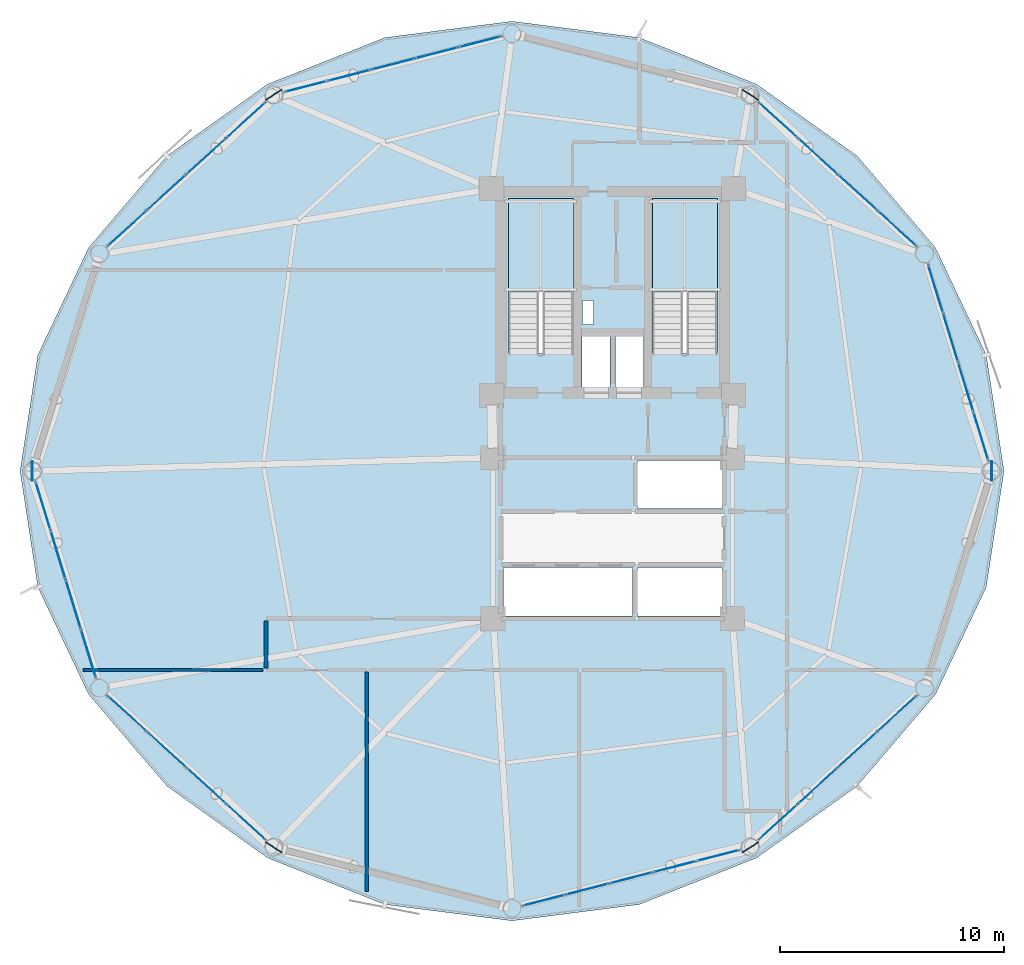
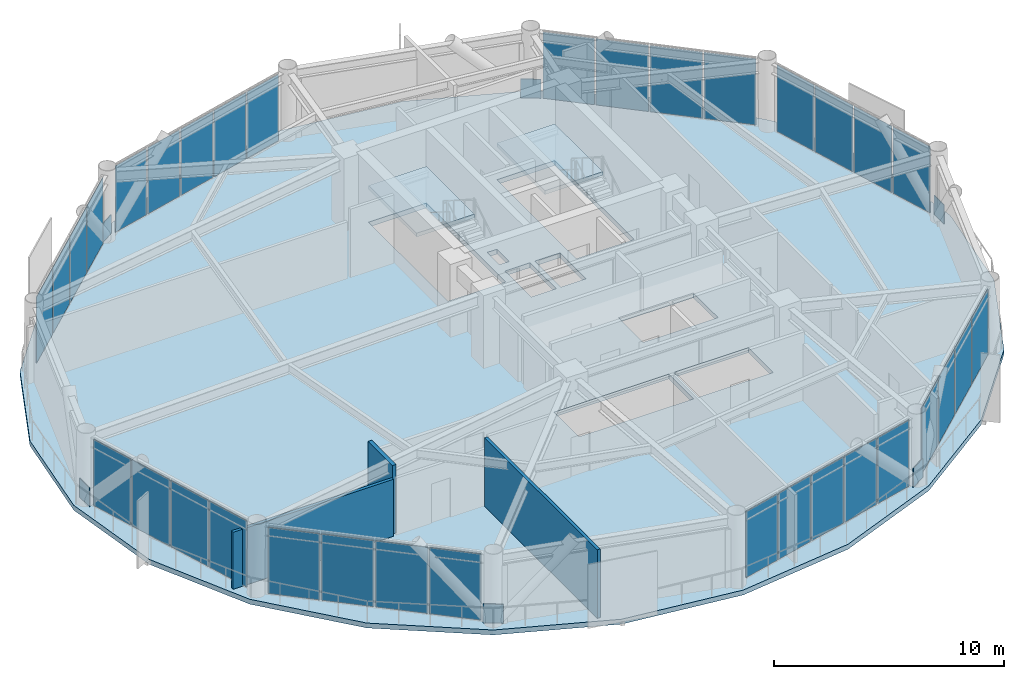
# One storey, part 19 of 24: 40 plates, 3 slabs, 3 walls, 10 elements without a shape of their own.
"""IFC4 building model written with IfcOpenShell, lengths in metres."""

from ifc_helpers import new_model, si_unit, direction, frame, frame_2d, origin, origin_2d, place, context, subcontext, project, spatial, polyline, rectangle, outline, extrude, source, transform, mapped, material, layer, layer_set, type_object, type_shapes, element, aggregate, save


model = new_model("IFC4")

# Units and contexts
model_context = context("Model", 3, precision=1e-05, world=origin(), true_north=direction((0.0, 1.0)))
body_context = subcontext(model_context, "Body", "Model", "MODEL_VIEW")
ifc_project = project(units=[si_unit("LENGTHUNIT", "METRE"), si_unit("AREAUNIT", "SQUARE_METRE"), si_unit("VOLUMEUNIT", "CUBIC_METRE"), si_unit("PLANEANGLEUNIT", "RADIAN"), si_unit("MASSUNIT", "GRAM", prefix="KILO")], contexts=[model_context])

# Site, building, storey
site_placement = place(None, origin())
site = spatial("IfcSite", under=ifc_project, at=site_placement, CompositionType="ELEMENT")
building_placement = place(site_placement, origin())
building = spatial("IfcBuilding", under=site, at=building_placement, Name="Varnakorn Sky Granary", CompositionType="ELEMENT")
storey_placement = place(building_placement, frame((0.0, 0.0, 111.0)))
storey = spatial("IfcBuildingStorey", under=building, at=storey_placement, Name="L27", CompositionType="ELEMENT", Elevation=111.0)

# Plates
ifc_material_1 = material(Name="Steel S460M", Category="steel")
ifc_layer_1 = layer(ifc_material_1, 0.0400390625, Name="Steel S460M")
ifc_layer_set_1 = layer_set([ifc_layer_1], Name="Steel S460M")
plate_type_1 = type_object("IfcPlateType", Name="PL-NODE-KN2", PredefinedType="SHEET", material=ifc_layer_set_1)
for number, where, z_axis, x_axis, name in (
    (1, (19.949951171875, 0.0, 0.0), (0.0, 0.0, 1.0), (0.0, 1.0, 0.0), "Diagrid Node Gusset Assembly KN2 L27-1"),
    (2, (9.157470703125, 16.825927734375, 0.0), (0.0, 0.0, 1.0), (-0.844795623228, 0.535089109379, 0.0), "Diagrid Node Gusset Assembly KN2 L27-3"),
    (3, (-12.157470703125, 16.825927734375, 0.0), (0.0, 0.0, 1.0), (-0.844795623228, -0.535089109379, 0.0), "Diagrid Node Gusset Assembly KN2 L27-5"),
    (4, (-22.949951171875, 0.0, 0.0), (0.0, 0.0, 1.0), (0.0, -1.0, 0.0), "Diagrid Node Gusset Assembly KN2 L27-7"),
    (5, (-12.157470703125, -16.825927734375, 0.0), (0.0, 0.0, 1.0), (0.844795623228, -0.535089109379, 0.0), "Diagrid Node Gusset Assembly KN2 L27-9"),
    (6, (9.157470703125, -16.825927734375, 0.0), (0.0, 0.0, 1.0), (0.844795623228, 0.535089109379, 0.0), "Diagrid Node Gusset Assembly KN2 L27-11"),
):
    element("IfcPlate", number, at=place(storey_placement, frame(where, z_axis=z_axis, x_axis=x_axis)), inside=storey, type_object=plate_type_1, Name=name, PredefinedType="SHEET", context=body_context, shape_type="SweptSolid", body=[
        extrude(rectangle(XDim=0.8798828125, YDim=0.0400390625, at=origin_2d()), origin(), (0.0, 0.0, 1.0), 1.0),
    ])

# Stair, slab
ifc_material_2 = material(Name="Concrete C40/50", Category="concrete")
stair_type = type_object("IfcStairType", Name="ST-MAIN-ASSEMBLY", PredefinedType="HALF_TURN_STAIR", material=ifc_material_2)
stair_1_placement = place(storey_placement, origin())
stair_1 = element("IfcStair", 7, at=stair_1_placement, inside=storey, type_object=stair_type, Name="L27 Protected Exit Stair ST-1", PredefinedType="HALF_TURN_STAIR")
ifc_layer_2 = layer(ifc_material_2, 0.199951171875, Name="Concrete C40/50")
ifc_layer_set_2 = layer_set([ifc_layer_2], Name="Concrete C40/50")
slab_type_1 = type_object("IfcSlabType", Name="ST-MAIN-LAND", PredefinedType="LANDING", material=ifc_layer_set_2)
slab_1_placement = place(storey_placement, frame((0.0, 0.0, 1.75)))
slab_1 = element("IfcSlab", 8, at=slab_1_placement, type_object=slab_type_1, Name="ST-1 landing 1", PredefinedType="LANDING", context=body_context, shape_type="SweptSolid", body=[
    extrude(outline(polyline([(1.239990234375, 8.0), (1.239990234375, 12.179931640625), (-1.669921875, 12.179931640625), (-1.669921875, 8.0), (1.239990234375, 8.0)])), origin(), (0.0, 0.0, 1.0), 0.199951171875),
])
aggregate(stair_1, [slab_1])

stair_2_placement = place(storey_placement, origin())
stair_2 = element("IfcStair", 9, at=stair_2_placement, inside=storey, type_object=stair_type, Name="L27 Protected Exit Stair ST-2", PredefinedType="HALF_TURN_STAIR")
slab_2_placement = place(storey_placement, frame((0.0, 0.0, 1.75)))
slab_2 = element("IfcSlab", 10, at=slab_2_placement, type_object=slab_type_1, Name="ST-2 landing 1", PredefinedType="LANDING", context=body_context, shape_type="SweptSolid", body=[
    extrude(outline(polyline([(7.679931640625, 8.0), (7.679931640625, 12.179931640625), (4.77001953125, 12.179931640625), (4.77001953125, 8.0), (7.679931640625, 8.0)])), origin(), (0.0, 0.0, 1.0), 0.199951171875),
])
aggregate(stair_2, [slab_2])

# Slab
ifc_material_3 = material(Name="Concrete C50/60", Category="concrete")
ifc_layer_3 = layer(ifc_material_3, 0.260009765625, Name="Concrete C50/60")
ifc_layer_set_3 = layer_set([ifc_layer_3], Name="Concrete C50/60")
slab_type_2 = type_object("IfcSlabType", Name="ST-SL-TWR-260", PredefinedType="FLOOR", material=ifc_layer_set_3)
slab_3_placement = place(storey_placement, frame((0.0, 0.0, -0.260009765625)))
element("IfcSlab", 11, at=slab_3_placement, inside=storey, type_object=slab_type_2, Name="Level L27 Structural Floor Slab", PredefinedType="FLOOR", context=body_context, shape_type="SweptSolid", body=[
    extrude(outline(polyline([(20.5, 0.0), (19.706787109375, 5.194091796875), (17.435546875, 9.989501953125), (13.92919921875, 14.095458984375), (9.4326171875, 17.30224609375), (4.182373046875, 19.38525390625), (-1.5, 20.114013671875), (-7.182373046875, 19.38525390625), (-12.4326171875, 17.30224609375), (-16.92919921875, 14.095458984375), (-20.435546875, 9.989501953125), (-22.706787109375, 5.194091796875), (-23.5, 0.0), (-22.706787109375, -5.194091796875), (-20.435546875, -9.989501953125), (-16.92919921875, -14.095458984375), (-12.4326171875, -17.30224609375), (-7.182373046875, -19.38525390625), (-1.5, -20.114013671875), (4.182373046875, -19.38525390625), (9.4326171875, -17.30224609375), (13.92919921875, -14.095458984375), (17.435546875, -9.989501953125), (19.706787109375, -5.194091796875), (20.5, 0.0)]), holes=[polyline([(1.239990234375, 5.27490234375), (1.239990234375, 12.179931640625), (-1.669921875, 12.179931640625), (-1.669921875, 5.27490234375), (1.239990234375, 5.27490234375)]), polyline([(7.679931640625, 5.27490234375), (7.679931640625, 12.179931640625), (4.77001953125, 12.179931640625), (4.77001953125, 5.27490234375), (7.679931640625, 5.27490234375)]), polyline([(1.659912109375, 6.550048828125), (2.14990234375, 6.550048828125), (2.14990234375, 7.6201171875), (1.659912109375, 7.6201171875), (1.659912109375, 6.550048828125)]), polyline([(1.6201171875, 3.739990234375), (2.8798828125, 3.739990234375), (2.8798828125, 6.010009765625), (1.6201171875, 6.010009765625), (1.6201171875, 3.739990234375)]), polyline([(3.1201171875, 3.739990234375), (4.3798828125, 3.739990234375), (4.3798828125, 6.010009765625), (3.1201171875, 6.010009765625), (3.1201171875, 3.739990234375)]), polyline([(4.1201171875, -1.679931640625), (7.8798828125, -1.679931640625), (7.8798828125, 0.47998046875), (4.1201171875, 0.47998046875), (4.1201171875, -1.679931640625)]), polyline([(-1.8798828125, -6.47998046875), (3.8798828125, -6.47998046875), (3.8798828125, -4.320068359375), (-1.8798828125, -4.320068359375), (-1.8798828125, -6.47998046875)]), polyline([(4.1201171875, -6.47998046875), (7.8798828125, -6.47998046875), (7.8798828125, -4.320068359375), (4.1201171875, -4.320068359375), (4.1201171875, -6.47998046875)])]), origin(), (0.0, 0.0, 1.0), 0.260009765625),
])

# Curtain wall, plates
ifc_material_4 = material(Name="Anodised Bronze Aluminium Alloy 6063-T6", Category="aluminium")
ifc_layer_4 = layer(ifc_material_4, 0.179931640625, Name="Anodised Bronze Aluminium Alloy 6063-T6")
ifc_layer_set_4 = layer_set([ifc_layer_4], Name="Anodised Bronze Aluminium Alloy 6063-T6")
curtain_wall_type = type_object("IfcCurtainWallType", Name="CW-FRM-2", PredefinedType="USERDEFINED", material=ifc_layer_set_4)
curtain_wall_1_placement = place(storey_placement, origin())
curtain_wall_1 = element("IfcCurtainWall", 12, at=curtain_wall_1_placement, inside=storey, type_object=curtain_wall_type, Name="Unitised Curtain Wall CW4 CW-L27-B01", ObjectType="CURTAIN WALL", PredefinedType="USERDEFINED")
ifc_material_5 = material(Name="Low-E Tinted Laminated Glass", Category="glass")
ifc_layer_5 = layer(ifc_material_5, 0.02587890625, Name="Low-E Tinted Laminated Glass")
ifc_layer_set_5 = layer_set([ifc_layer_5], Name="Low-E Tinted Laminated Glass")
plate_type_2 = type_object("IfcPlateType", Name="CW-FRM-2-PNL", PredefinedType="CURTAIN_PANEL")
shared_shape_1 = source(origin(), body_context, "Body", "SweptSolid", [
    extrude(rectangle(XDim=2.202880859375, YDim=0.02587890625, at=origin_2d()), origin(), (0.0, 0.0, 1.0), 3.510009765625),
])
plate_1_placement = place(storey_placement, frame((17.441162109375, 8.149169921875, 0.06494140625), z_axis=(0.0, 0.0, 1.0), x_axis=(0.294220578361, -0.955737543089, 0.0)))
plate_1 = element("IfcPlate", 13, at=plate_1_placement, type_object=plate_type_2, material=ifc_layer_set_5, Name="CW4 vision glazing unit 1.1", PredefinedType="CURTAIN_PANEL", context=body_context, shape_type="MappedRepresentation", body=[
    mapped(shared_shape_1, transform((0.0, 0.0, 0.0), x_axis=(1.0, 0.0, 0.0), y_axis=(0.0, 1.0, 0.0), z_axis=(0.0, 0.0, 1.0), scale=1.0)),
])
ifc_material_6 = material(Name="Opaque Insulated Aluminium Shadow-Box Unit", Category="aluminium")
ifc_layer_6 = layer(ifc_material_6, 0.02587890625, Name="Opaque Insulated Aluminium Shadow-Box Unit")
ifc_layer_set_6 = layer_set([ifc_layer_6], Name="Opaque Insulated Aluminium Shadow-Box Unit")
plate_2_placement = place(storey_placement, frame((19.468017578125, 1.5654296875, 0.06494140625), z_axis=(0.0, 0.0, 1.0), x_axis=(0.294220578361, -0.955737543089, 0.0)))
plate_2 = element("IfcPlate", 14, at=plate_2_placement, type_object=plate_type_2, material=ifc_layer_set_6, Name="CW4 opaque insulated shadow-box unit 4.1", PredefinedType="CURTAIN_PANEL", context=body_context, shape_type="MappedRepresentation", body=[
    mapped(shared_shape_1, transform((0.0, 0.0, 0.0), x_axis=(1.0, 0.0, 0.0), y_axis=(0.0, 1.0, 0.0), z_axis=(0.0, 0.0, 1.0), scale=1.0)),
])

curtain_wall_2_placement = place(storey_placement, origin())
curtain_wall_2 = element("IfcCurtainWall", 15, at=curtain_wall_2_placement, inside=storey, type_object=curtain_wall_type, Name="Unitised Curtain Wall CW4 CW-L27-B07", ObjectType="CURTAIN WALL", PredefinedType="USERDEFINED")
plate_3_placement = place(storey_placement, frame((-20.441162109375, -8.149169921875, 0.06494140625), z_axis=(0.0, 0.0, 1.0), x_axis=(-0.294220578361, 0.955737543089, 0.0)))
plate_3 = element("IfcPlate", 16, at=plate_3_placement, type_object=plate_type_2, material=ifc_layer_set_5, Name="CW4 vision glazing unit 1.1", PredefinedType="CURTAIN_PANEL", context=body_context, shape_type="MappedRepresentation", body=[
    mapped(shared_shape_1, transform((0.0, 0.0, 0.0), x_axis=(1.0, 0.0, 0.0), y_axis=(0.0, 1.0, 0.0), z_axis=(0.0, 0.0, 1.0), scale=1.0)),
])
plate_4_placement = place(storey_placement, frame((-22.468017578125, -1.5654296875, 0.06494140625), z_axis=(0.0, 0.0, 1.0), x_axis=(-0.294220578361, 0.955737543089, 0.0)))
plate_4 = element("IfcPlate", 17, at=plate_4_placement, type_object=plate_type_2, material=ifc_layer_set_6, Name="CW4 opaque insulated shadow-box unit 4.1", PredefinedType="CURTAIN_PANEL", context=body_context, shape_type="MappedRepresentation", body=[
    mapped(shared_shape_1, transform((0.0, 0.0, 0.0), x_axis=(1.0, 0.0, 0.0), y_axis=(0.0, 1.0, 0.0), z_axis=(0.0, 0.0, 1.0), scale=1.0)),
])

# Plate
shared_shape_2 = source(origin(), body_context, "Body", "SweptSolid", [
    extrude(rectangle(XDim=2.23779296875, YDim=0.02587890625, at=origin_2d()), origin(), (0.0, 0.0, 1.0), 3.510009765625),
])
plate_5_placement = place(storey_placement, frame((18.115234375, 5.960205078125, 0.06494140625), z_axis=(0.0, 0.0, 1.0), x_axis=(0.294220578361, -0.955737543089, 0.0)))
plate_5 = element("IfcPlate", 18, at=plate_5_placement, type_object=plate_type_2, material=ifc_layer_set_5, Name="CW4 vision glazing unit 2.1", PredefinedType="CURTAIN_PANEL", context=body_context, shape_type="MappedRepresentation", body=[
    mapped(shared_shape_2, transform((0.0, 0.0, 0.0), x_axis=(1.0, 0.0, 0.0), y_axis=(0.0, 1.0, 0.0), z_axis=(0.0, 0.0, 1.0), scale=1.0)),
])

plate_6_placement = place(storey_placement, frame((18.794189453125, 3.75439453125, 0.06494140625), z_axis=(0.0, 0.0, 1.0), x_axis=(0.294220578361, -0.955737543089, 0.0)))
plate_6 = element("IfcPlate", 19, at=plate_6_placement, type_object=plate_type_2, material=ifc_layer_set_6, Name="CW4 opaque insulated shadow-box unit 3.1", PredefinedType="CURTAIN_PANEL", context=body_context, shape_type="MappedRepresentation", body=[
    mapped(shared_shape_2, transform((0.0, 0.0, 0.0), x_axis=(1.0, 0.0, 0.0), y_axis=(0.0, 1.0, 0.0), z_axis=(0.0, 0.0, 1.0), scale=1.0)),
])

aggregate(curtain_wall_1, [plate_1, plate_5, plate_6, plate_2])

plate_7_placement = place(storey_placement, frame((-21.115234375, -5.960205078125, 0.06494140625), z_axis=(0.0, 0.0, 1.0), x_axis=(-0.294220578361, 0.955737543089, 0.0)))
plate_7 = element("IfcPlate", 20, at=plate_7_placement, type_object=plate_type_2, material=ifc_layer_set_5, Name="CW4 vision glazing unit 2.1", PredefinedType="CURTAIN_PANEL", context=body_context, shape_type="MappedRepresentation", body=[
    mapped(shared_shape_2, transform((0.0, 0.0, 0.0), x_axis=(1.0, 0.0, 0.0), y_axis=(0.0, 1.0, 0.0), z_axis=(0.0, 0.0, 1.0), scale=1.0)),
])

plate_8_placement = place(storey_placement, frame((-21.794189453125, -3.75439453125, 0.06494140625), z_axis=(0.0, 0.0, 1.0), x_axis=(-0.294220578361, 0.955737543089, 0.0)))
plate_8 = element("IfcPlate", 21, at=plate_8_placement, type_object=plate_type_2, material=ifc_layer_set_6, Name="CW4 opaque insulated shadow-box unit 3.1", PredefinedType="CURTAIN_PANEL", context=body_context, shape_type="MappedRepresentation", body=[
    mapped(shared_shape_2, transform((0.0, 0.0, 0.0), x_axis=(1.0, 0.0, 0.0), y_axis=(0.0, 1.0, 0.0), z_axis=(0.0, 0.0, 1.0), scale=1.0)),
])

aggregate(curtain_wall_2, [plate_3, plate_7, plate_8, plate_4])

# Curtain wall, plates
curtain_wall_3_placement = place(storey_placement, origin())
curtain_wall_3 = element("IfcCurtainWall", 22, at=curtain_wall_3_placement, inside=storey, type_object=curtain_wall_type, Name="Unitised Curtain Wall CW4 CW-L27-B02", ObjectType="CURTAIN WALL", PredefinedType="USERDEFINED")
shared_shape_3 = source(origin(), body_context, "Body", "SweptSolid", [
    extrude(rectangle(XDim=2.30078125, YDim=0.02587890625, at=origin_2d()), origin(), (0.0, 0.0, 1.0), 3.510009765625),
])
plate_9_placement = place(storey_placement, frame((10.404296875, 15.689453125, 0.06494140625), z_axis=(0.0, 0.0, 1.0), x_axis=(0.739046526287, -0.673654386152, 0.0)))
plate_9 = element("IfcPlate", 23, at=plate_9_placement, type_object=plate_type_2, material=ifc_layer_set_6, Name="CW4 opaque insulated shadow-box unit 1.1", PredefinedType="CURTAIN_PANEL", context=body_context, shape_type="MappedRepresentation", body=[
    mapped(shared_shape_3, transform((0.0, 0.0, 0.0), x_axis=(1.0, 0.0, 0.0), y_axis=(0.0, 1.0, 0.0), z_axis=(0.0, 0.0, 1.0), scale=1.0)),
])
plate_10_placement = place(storey_placement, frame((15.712646484375, 10.850830078125, 0.06494140625), z_axis=(0.0, 0.0, 1.0), x_axis=(0.739046526287, -0.673654386152, 0.0)))
plate_10 = element("IfcPlate", 24, at=plate_10_placement, type_object=plate_type_2, material=ifc_layer_set_5, Name="CW4 vision glazing unit 4.1", PredefinedType="CURTAIN_PANEL", context=body_context, shape_type="MappedRepresentation", body=[
    mapped(shared_shape_3, transform((0.0, 0.0, 0.0), x_axis=(1.0, 0.0, 0.0), y_axis=(0.0, 1.0, 0.0), z_axis=(0.0, 0.0, 1.0), scale=1.0)),
])

curtain_wall_4_placement = place(storey_placement, origin())
curtain_wall_4 = element("IfcCurtainWall", 25, at=curtain_wall_4_placement, inside=storey, type_object=curtain_wall_type, Name="Unitised Curtain Wall CW4 CW-L27-B05", ObjectType="CURTAIN WALL", PredefinedType="USERDEFINED")
plate_11_placement = place(storey_placement, frame((-18.712646484375, 10.850830078125, 0.06494140625), z_axis=(0.0, 0.0, 1.0), x_axis=(0.739046526287, 0.673654386152, 0.0)))
plate_11 = element("IfcPlate", 26, at=plate_11_placement, type_object=plate_type_2, material=ifc_layer_set_5, Name="CW4 vision glazing unit 1.1", PredefinedType="CURTAIN_PANEL", context=body_context, shape_type="MappedRepresentation", body=[
    mapped(shared_shape_3, transform((0.0, 0.0, 0.0), x_axis=(1.0, 0.0, 0.0), y_axis=(0.0, 1.0, 0.0), z_axis=(0.0, 0.0, 1.0), scale=1.0)),
])
plate_12_placement = place(storey_placement, frame((-13.404296875, 15.689453125, 0.06494140625), z_axis=(0.0, 0.0, 1.0), x_axis=(0.739046526287, 0.673654386152, 0.0)))
plate_12 = element("IfcPlate", 27, at=plate_12_placement, type_object=plate_type_2, material=ifc_layer_set_6, Name="CW4 opaque insulated shadow-box unit 4.1", PredefinedType="CURTAIN_PANEL", context=body_context, shape_type="MappedRepresentation", body=[
    mapped(shared_shape_3, transform((0.0, 0.0, 0.0), x_axis=(1.0, 0.0, 0.0), y_axis=(0.0, 1.0, 0.0), z_axis=(0.0, 0.0, 1.0), scale=1.0)),
])

curtain_wall_5_placement = place(storey_placement, origin())
curtain_wall_5 = element("IfcCurtainWall", 28, at=curtain_wall_5_placement, inside=storey, type_object=curtain_wall_type, Name="Unitised Curtain Wall CW4 CW-L27-B08", ObjectType="CURTAIN WALL", PredefinedType="USERDEFINED")
plate_13_placement = place(storey_placement, frame((-13.404296875, -15.689453125, 0.06494140625), z_axis=(0.0, 0.0, 1.0), x_axis=(-0.739046526287, 0.673654386152, 0.0)))
plate_13 = element("IfcPlate", 29, at=plate_13_placement, type_object=plate_type_2, material=ifc_layer_set_6, Name="CW4 opaque insulated shadow-box unit 1.1", PredefinedType="CURTAIN_PANEL", context=body_context, shape_type="MappedRepresentation", body=[
    mapped(shared_shape_3, transform((0.0, 0.0, 0.0), x_axis=(1.0, 0.0, 0.0), y_axis=(0.0, 1.0, 0.0), z_axis=(0.0, 0.0, 1.0), scale=1.0)),
])
plate_14_placement = place(storey_placement, frame((-18.712646484375, -10.850830078125, 0.06494140625), z_axis=(0.0, 0.0, 1.0), x_axis=(-0.739046526287, 0.673654386152, 0.0)))
plate_14 = element("IfcPlate", 30, at=plate_14_placement, type_object=plate_type_2, material=ifc_layer_set_5, Name="CW4 vision glazing unit 4.1", PredefinedType="CURTAIN_PANEL", context=body_context, shape_type="MappedRepresentation", body=[
    mapped(shared_shape_3, transform((0.0, 0.0, 0.0), x_axis=(1.0, 0.0, 0.0), y_axis=(0.0, 1.0, 0.0), z_axis=(0.0, 0.0, 1.0), scale=1.0)),
])

curtain_wall_6_placement = place(storey_placement, origin())
curtain_wall_6 = element("IfcCurtainWall", 31, at=curtain_wall_6_placement, inside=storey, type_object=curtain_wall_type, Name="Unitised Curtain Wall CW4 CW-L27-B11", ObjectType="CURTAIN WALL", PredefinedType="USERDEFINED")
plate_15_placement = place(storey_placement, frame((15.712646484375, -10.850830078125, 0.06494140625), z_axis=(0.0, 0.0, 1.0), x_axis=(-0.739046526287, -0.673654386152, 0.0)))
plate_15 = element("IfcPlate", 32, at=plate_15_placement, type_object=plate_type_2, material=ifc_layer_set_5, Name="CW4 vision glazing unit 1.1", PredefinedType="CURTAIN_PANEL", context=body_context, shape_type="MappedRepresentation", body=[
    mapped(shared_shape_3, transform((0.0, 0.0, 0.0), x_axis=(1.0, 0.0, 0.0), y_axis=(0.0, 1.0, 0.0), z_axis=(0.0, 0.0, 1.0), scale=1.0)),
])
plate_16_placement = place(storey_placement, frame((10.404296875, -15.689453125, 0.06494140625), z_axis=(0.0, 0.0, 1.0), x_axis=(-0.739046526287, -0.673654386152, 0.0)))
plate_16 = element("IfcPlate", 33, at=plate_16_placement, type_object=plate_type_2, material=ifc_layer_set_6, Name="CW4 opaque insulated shadow-box unit 4.1", PredefinedType="CURTAIN_PANEL", context=body_context, shape_type="MappedRepresentation", body=[
    mapped(shared_shape_3, transform((0.0, 0.0, 0.0), x_axis=(1.0, 0.0, 0.0), y_axis=(0.0, 1.0, 0.0), z_axis=(0.0, 0.0, 1.0), scale=1.0)),
])

# Plate
shared_shape_4 = source(origin(), body_context, "Body", "SweptSolid", [
    extrude(rectangle(XDim=2.3359375, YDim=0.02587890625, at=origin_2d()), origin(), (0.0, 0.0, 1.0), 3.510009765625),
])
plate_17_placement = place(storey_placement, frame((12.16943359375, 14.08056640625, 0.06494140625), z_axis=(0.0, 0.0, 1.0), x_axis=(0.739046526287, -0.673654386152, 0.0)))
plate_17 = element("IfcPlate", 34, at=plate_17_placement, type_object=plate_type_2, material=ifc_layer_set_6, Name="CW4 opaque insulated shadow-box unit 2.1", PredefinedType="CURTAIN_PANEL", context=body_context, shape_type="MappedRepresentation", body=[
    mapped(shared_shape_4, transform((0.0, 0.0, 0.0), x_axis=(1.0, 0.0, 0.0), y_axis=(0.0, 1.0, 0.0), z_axis=(0.0, 0.0, 1.0), scale=1.0)),
])

plate_18_placement = place(storey_placement, frame((13.947509765625, 12.4599609375, 0.06494140625), z_axis=(0.0, 0.0, 1.0), x_axis=(0.739046526287, -0.673654386152, 0.0)))
plate_18 = element("IfcPlate", 35, at=plate_18_placement, type_object=plate_type_2, material=ifc_layer_set_5, Name="CW4 vision glazing unit 3.1", PredefinedType="CURTAIN_PANEL", context=body_context, shape_type="MappedRepresentation", body=[
    mapped(shared_shape_4, transform((0.0, 0.0, 0.0), x_axis=(1.0, 0.0, 0.0), y_axis=(0.0, 1.0, 0.0), z_axis=(0.0, 0.0, 1.0), scale=1.0)),
])

aggregate(curtain_wall_3, [plate_9, plate_17, plate_18, plate_10])

plate_19_placement = place(storey_placement, frame((-16.947509765625, 12.4599609375, 0.06494140625), z_axis=(0.0, 0.0, 1.0), x_axis=(0.739046526287, 0.673654386152, 0.0)))
plate_19 = element("IfcPlate", 36, at=plate_19_placement, type_object=plate_type_2, material=ifc_layer_set_5, Name="CW4 vision glazing unit 2.1", PredefinedType="CURTAIN_PANEL", context=body_context, shape_type="MappedRepresentation", body=[
    mapped(shared_shape_4, transform((0.0, 0.0, 0.0), x_axis=(1.0, 0.0, 0.0), y_axis=(0.0, 1.0, 0.0), z_axis=(0.0, 0.0, 1.0), scale=1.0)),
])

plate_20_placement = place(storey_placement, frame((-15.16943359375, 14.08056640625, 0.06494140625), z_axis=(0.0, 0.0, 1.0), x_axis=(0.739046526287, 0.673654386152, 0.0)))
plate_20 = element("IfcPlate", 37, at=plate_20_placement, type_object=plate_type_2, material=ifc_layer_set_6, Name="CW4 opaque insulated shadow-box unit 3.1", PredefinedType="CURTAIN_PANEL", context=body_context, shape_type="MappedRepresentation", body=[
    mapped(shared_shape_4, transform((0.0, 0.0, 0.0), x_axis=(1.0, 0.0, 0.0), y_axis=(0.0, 1.0, 0.0), z_axis=(0.0, 0.0, 1.0), scale=1.0)),
])

aggregate(curtain_wall_4, [plate_11, plate_19, plate_20, plate_12])

plate_21_placement = place(storey_placement, frame((-15.16943359375, -14.08056640625, 0.06494140625), z_axis=(0.0, 0.0, 1.0), x_axis=(-0.739046526287, 0.673654386152, 0.0)))
plate_21 = element("IfcPlate", 38, at=plate_21_placement, type_object=plate_type_2, material=ifc_layer_set_6, Name="CW4 opaque insulated shadow-box unit 2.1", PredefinedType="CURTAIN_PANEL", context=body_context, shape_type="MappedRepresentation", body=[
    mapped(shared_shape_4, transform((0.0, 0.0, 0.0), x_axis=(1.0, 0.0, 0.0), y_axis=(0.0, 1.0, 0.0), z_axis=(0.0, 0.0, 1.0), scale=1.0)),
])

plate_22_placement = place(storey_placement, frame((-16.947509765625, -12.4599609375, 0.06494140625), z_axis=(0.0, 0.0, 1.0), x_axis=(-0.739046526287, 0.673654386152, 0.0)))
plate_22 = element("IfcPlate", 39, at=plate_22_placement, type_object=plate_type_2, material=ifc_layer_set_5, Name="CW4 vision glazing unit 3.1", PredefinedType="CURTAIN_PANEL", context=body_context, shape_type="MappedRepresentation", body=[
    mapped(shared_shape_4, transform((0.0, 0.0, 0.0), x_axis=(1.0, 0.0, 0.0), y_axis=(0.0, 1.0, 0.0), z_axis=(0.0, 0.0, 1.0), scale=1.0)),
])

aggregate(curtain_wall_5, [plate_13, plate_21, plate_22, plate_14])

plate_23_placement = place(storey_placement, frame((13.947509765625, -12.4599609375, 0.06494140625), z_axis=(0.0, 0.0, 1.0), x_axis=(-0.739046526287, -0.673654386152, 0.0)))
plate_23 = element("IfcPlate", 40, at=plate_23_placement, type_object=plate_type_2, material=ifc_layer_set_5, Name="CW4 vision glazing unit 2.1", PredefinedType="CURTAIN_PANEL", context=body_context, shape_type="MappedRepresentation", body=[
    mapped(shared_shape_4, transform((0.0, 0.0, 0.0), x_axis=(1.0, 0.0, 0.0), y_axis=(0.0, 1.0, 0.0), z_axis=(0.0, 0.0, 1.0), scale=1.0)),
])

plate_24_placement = place(storey_placement, frame((12.16943359375, -14.08056640625, 0.06494140625), z_axis=(0.0, 0.0, 1.0), x_axis=(-0.739046526287, -0.673654386152, 0.0)))
plate_24 = element("IfcPlate", 41, at=plate_24_placement, type_object=plate_type_2, material=ifc_layer_set_6, Name="CW4 opaque insulated shadow-box unit 3.1", PredefinedType="CURTAIN_PANEL", context=body_context, shape_type="MappedRepresentation", body=[
    mapped(shared_shape_4, transform((0.0, 0.0, 0.0), x_axis=(1.0, 0.0, 0.0), y_axis=(0.0, 1.0, 0.0), z_axis=(0.0, 0.0, 1.0), scale=1.0)),
])

aggregate(curtain_wall_6, [plate_15, plate_23, plate_24, plate_16])

# Curtain wall, plates
curtain_wall_7_placement = place(storey_placement, origin())
curtain_wall_7 = element("IfcCurtainWall", 42, at=curtain_wall_7_placement, inside=storey, type_object=curtain_wall_type, Name="Unitised Curtain Wall CW4 CW-L27-B04", ObjectType="CURTAIN WALL", PredefinedType="USERDEFINED")
shared_shape_5 = source(origin(), body_context, "Body", "SweptSolid", [
    extrude(rectangle(XDim=1.9091796875, YDim=0.02587890625, at=origin_2d()), origin(), (0.0, 0.0, 1.0), 3.510009765625),
])
plate_25_placement = place(storey_placement, frame((-10.71337890625, 17.197021484375, 0.06494140625), z_axis=(0.0, 0.0, 1.0), x_axis=(0.968549088485, 0.248822553629, 0.0)))
plate_25 = element("IfcPlate", 43, at=plate_25_placement, type_object=plate_type_2, material=ifc_layer_set_6, Name="CW4 opaque insulated shadow-box unit 1.1", PredefinedType="CURTAIN_PANEL", context=body_context, shape_type="MappedRepresentation", body=[
    mapped(shared_shape_5, transform((0.0, 0.0, 0.0), x_axis=(1.0, 0.0, 0.0), y_axis=(0.0, 1.0, 0.0), z_axis=(0.0, 0.0, 1.0), scale=1.0)),
])
plate_26_placement = place(storey_placement, frame((-2.944091796875, 19.19287109375, 0.06494140625), z_axis=(0.0, 0.0, 1.0), x_axis=(0.968549088485, 0.248822553629, 0.0)))
plate_26 = element("IfcPlate", 44, at=plate_26_placement, type_object=plate_type_2, material=ifc_layer_set_5, Name="CW4 vision glazing unit 5.1", PredefinedType="CURTAIN_PANEL", context=body_context, shape_type="MappedRepresentation", body=[
    mapped(shared_shape_5, transform((0.0, 0.0, 0.0), x_axis=(1.0, 0.0, 0.0), y_axis=(0.0, 1.0, 0.0), z_axis=(0.0, 0.0, 1.0), scale=1.0)),
])

curtain_wall_8_placement = place(storey_placement, origin())
curtain_wall_8 = element("IfcCurtainWall", 45, at=curtain_wall_8_placement, inside=storey, type_object=curtain_wall_type, Name="Unitised Curtain Wall CW4 CW-L27-B10", ObjectType="CURTAIN WALL", PredefinedType="USERDEFINED")
plate_27_placement = place(storey_placement, frame((7.71337890625, -17.197021484375, 0.06494140625), z_axis=(0.0, 0.0, 1.0), x_axis=(-0.968549088485, -0.248822553629, 0.0)))
plate_27 = element("IfcPlate", 46, at=plate_27_placement, type_object=plate_type_2, material=ifc_layer_set_6, Name="CW4 opaque insulated shadow-box unit 1.1", PredefinedType="CURTAIN_PANEL", context=body_context, shape_type="MappedRepresentation", body=[
    mapped(shared_shape_5, transform((0.0, 0.0, 0.0), x_axis=(1.0, 0.0, 0.0), y_axis=(0.0, 1.0, 0.0), z_axis=(0.0, 0.0, 1.0), scale=1.0)),
])
plate_28_placement = place(storey_placement, frame((-0.055908203125, -19.19287109375, 0.06494140625), z_axis=(0.0, 0.0, 1.0), x_axis=(-0.968549088485, -0.248822553629, 0.0)))
plate_28 = element("IfcPlate", 47, at=plate_28_placement, type_object=plate_type_2, material=ifc_layer_set_5, Name="CW4 vision glazing unit 5.1", PredefinedType="CURTAIN_PANEL", context=body_context, shape_type="MappedRepresentation", body=[
    mapped(shared_shape_5, transform((0.0, 0.0, 0.0), x_axis=(1.0, 0.0, 0.0), y_axis=(0.0, 1.0, 0.0), z_axis=(0.0, 0.0, 1.0), scale=1.0)),
])

# Plate
shared_shape_6 = source(origin(), body_context, "Body", "SweptSolid", [
    extrude(rectangle(XDim=1.944091796875, YDim=0.02587890625, at=origin_2d()), origin(), (0.0, 0.0, 1.0), 3.510009765625),
])
type_shapes(plate_type_2, [shared_shape_1, shared_shape_2, shared_shape_3, shared_shape_4, shared_shape_5, shared_shape_6])
plate_29_placement = place(storey_placement, frame((-8.779541015625, 17.69384765625, 0.06494140625), z_axis=(0.0, 0.0, 1.0), x_axis=(0.968549088485, 0.248822553629, 0.0)))
plate_29 = element("IfcPlate", 48, at=plate_29_placement, type_object=plate_type_2, material=ifc_layer_set_6, Name="CW4 opaque insulated shadow-box unit 2.1", PredefinedType="CURTAIN_PANEL", context=body_context, shape_type="MappedRepresentation", body=[
    mapped(shared_shape_6, transform((0.0, 0.0, 0.0), x_axis=(1.0, 0.0, 0.0), y_axis=(0.0, 1.0, 0.0), z_axis=(0.0, 0.0, 1.0), scale=1.0)),
])

plate_30_placement = place(storey_placement, frame((-6.828857421875, 18.195068359375, 0.06494140625), z_axis=(0.0, 0.0, 1.0), x_axis=(0.968549088485, 0.248822553629, 0.0)))
plate_30 = element("IfcPlate", 49, at=plate_30_placement, type_object=plate_type_2, material=ifc_layer_set_5, Name="CW4 vision glazing unit 3.1", PredefinedType="CURTAIN_PANEL", context=body_context, shape_type="MappedRepresentation", body=[
    mapped(shared_shape_6, transform((0.0, 0.0, 0.0), x_axis=(1.0, 0.0, 0.0), y_axis=(0.0, 1.0, 0.0), z_axis=(0.0, 0.0, 1.0), scale=1.0)),
])

plate_31_placement = place(storey_placement, frame((-4.8779296875, 18.696044921875, 0.06494140625), z_axis=(0.0, 0.0, 1.0), x_axis=(0.968549088485, 0.248822553629, 0.0)))
plate_31 = element("IfcPlate", 50, at=plate_31_placement, type_object=plate_type_2, material=ifc_layer_set_5, Name="CW4 vision glazing unit 4.1", PredefinedType="CURTAIN_PANEL", context=body_context, shape_type="MappedRepresentation", body=[
    mapped(shared_shape_6, transform((0.0, 0.0, 0.0), x_axis=(1.0, 0.0, 0.0), y_axis=(0.0, 1.0, 0.0), z_axis=(0.0, 0.0, 1.0), scale=1.0)),
])

aggregate(curtain_wall_7, [plate_25, plate_29, plate_30, plate_31, plate_26])

plate_32_placement = place(storey_placement, frame((5.779541015625, -17.69384765625, 0.06494140625), z_axis=(0.0, 0.0, 1.0), x_axis=(-0.968549088485, -0.248822553629, 0.0)))
plate_32 = element("IfcPlate", 51, at=plate_32_placement, type_object=plate_type_2, material=ifc_layer_set_6, Name="CW4 opaque insulated shadow-box unit 2.1", PredefinedType="CURTAIN_PANEL", context=body_context, shape_type="MappedRepresentation", body=[
    mapped(shared_shape_6, transform((0.0, 0.0, 0.0), x_axis=(1.0, 0.0, 0.0), y_axis=(0.0, 1.0, 0.0), z_axis=(0.0, 0.0, 1.0), scale=1.0)),
])

plate_33_placement = place(storey_placement, frame((3.828857421875, -18.195068359375, 0.06494140625), z_axis=(0.0, 0.0, 1.0), x_axis=(-0.968549088485, -0.248822553629, 0.0)))
plate_33 = element("IfcPlate", 52, at=plate_33_placement, type_object=plate_type_2, material=ifc_layer_set_5, Name="CW4 vision glazing unit 3.1", PredefinedType="CURTAIN_PANEL", context=body_context, shape_type="MappedRepresentation", body=[
    mapped(shared_shape_6, transform((0.0, 0.0, 0.0), x_axis=(1.0, 0.0, 0.0), y_axis=(0.0, 1.0, 0.0), z_axis=(0.0, 0.0, 1.0), scale=1.0)),
])

plate_34_placement = place(storey_placement, frame((1.8779296875, -18.696044921875, 0.06494140625), z_axis=(0.0, 0.0, 1.0), x_axis=(-0.968549088485, -0.248822553629, 0.0)))
plate_34 = element("IfcPlate", 53, at=plate_34_placement, type_object=plate_type_2, material=ifc_layer_set_5, Name="CW4 vision glazing unit 4.1", PredefinedType="CURTAIN_PANEL", context=body_context, shape_type="MappedRepresentation", body=[
    mapped(shared_shape_6, transform((0.0, 0.0, 0.0), x_axis=(1.0, 0.0, 0.0), y_axis=(0.0, 1.0, 0.0), z_axis=(0.0, 0.0, 1.0), scale=1.0)),
])

aggregate(curtain_wall_8, [plate_27, plate_32, plate_33, plate_34, plate_28])

# Walls
ifc_material_7 = material(Name="Gypsum Plasterboard on Steel Stud", Category="steel")
ifc_layer_7 = layer(ifc_material_7, 0.14990234375, Name="Gypsum Plasterboard on Steel Stud")
ifc_layer_set_7 = layer_set([ifc_layer_7], Name="Gypsum Plasterboard on Steel Stud")
wall_type_1 = type_object("IfcWallType", Name="WT-PART-150", PredefinedType="PARTITIONING", material=ifc_layer_set_7)
wall_1_placement = place(storey_placement, frame((-8.0, -8.985107421875, 0.0), z_axis=(0.0, 0.0, 1.0), x_axis=(0.0, -1.0, 0.0)))
element("IfcWall", 54, at=wall_1_placement, inside=storey, type_object=wall_type_1, Name="Interior Partition Wall L27-033", PredefinedType="PARTITIONING", context=body_context, shape_type="SweptSolid", body=[
    extrude(rectangle(XDim=9.81884765625, YDim=0.14990234375, at=frame_2d((4.909423828125, 0.0))), origin(), (0.0, 0.0, 1.0), 3.639892578125),
])
wall_2_placement = place(storey_placement, frame((-20.68798828125, -8.89990234375, 0.0), z_axis=(0.0, 0.0, 1.0), x_axis=(1.0, 0.0, 0.0)))
element("IfcWall", 55, at=wall_2_placement, inside=storey, type_object=wall_type_1, Name="Interior Partition Wall L27-034", PredefinedType="PARTITIONING", context=body_context, shape_type="SweptSolid", body=[
    extrude(rectangle(XDim=8.052978515625, YDim=0.14990234375, at=frame_2d((4.0263671875, 0.0))), origin(), (0.0, 0.0, 1.0), 3.02197265625),
])
ifc_material_8 = material(Name="Moisture-Resistant Gypsum on Stud", Category="gypsum")
ifc_layer_8 = layer(ifc_material_8, 0.179931640625, Name="Moisture-Resistant Gypsum on Stud")
ifc_layer_set_8 = layer_set([ifc_layer_8], Name="Moisture-Resistant Gypsum on Stud")
wall_type_2 = type_object("IfcWallType", Name="WT-PLUMB-180", PredefinedType="PLUMBINGWALL", material=ifc_layer_set_8)
wall_3_placement = place(storey_placement, frame((-12.5, -6.699951171875, 0.0), z_axis=(0.0, 0.0, 1.0), x_axis=(0.0, -1.0, 0.0)))
element("IfcWall", 56, at=wall_3_placement, inside=storey, type_object=wall_type_2, Name="Interior Partition Wall L27-040", PredefinedType="PLUMBINGWALL", context=body_context, shape_type="SweptSolid", body=[
    extrude(rectangle(XDim=2.114990234375, YDim=0.179931640625, at=frame_2d((1.0576171875, 0.0))), origin(), (0.0, 0.0, 1.0), 3.639892578125),
])

save(model, "model.ifc")
